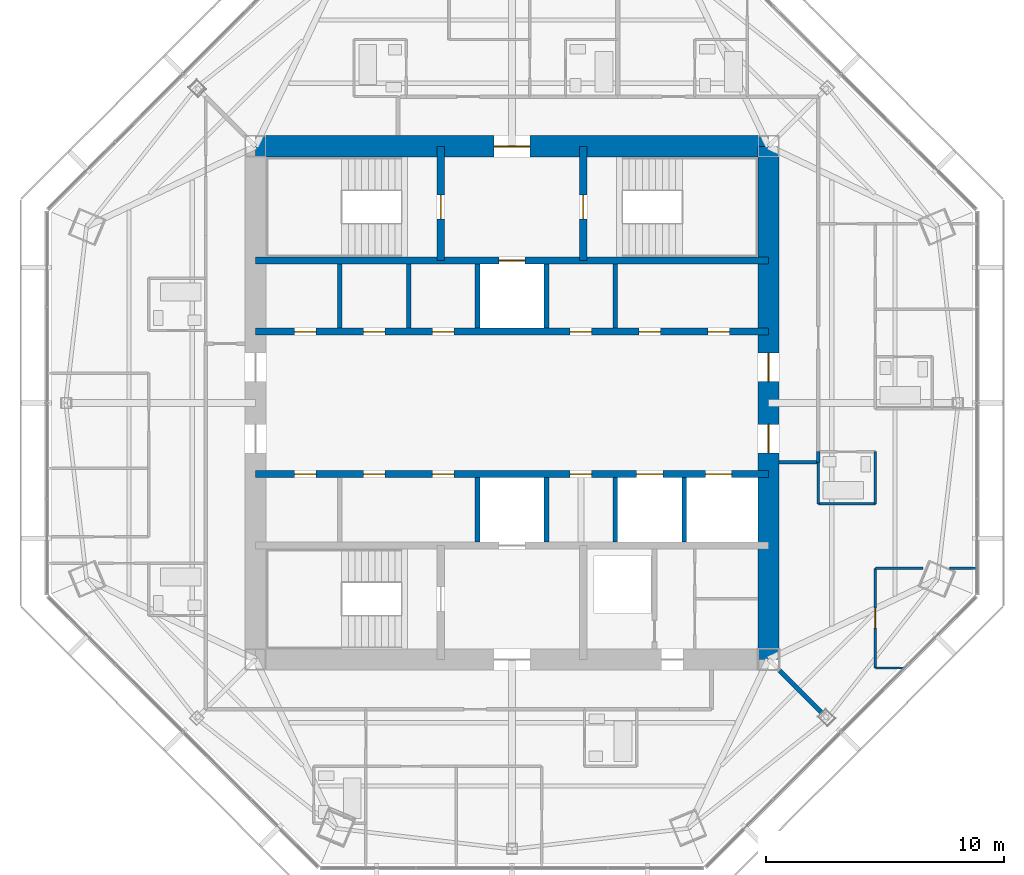
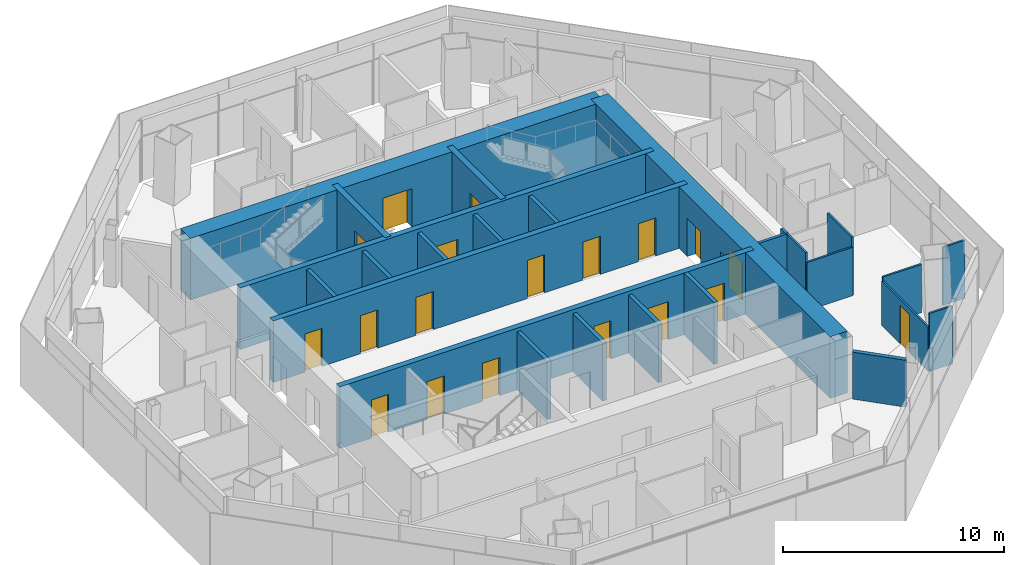
# One storey, part 10 of 15: 26 walls, 19 doors, 19 openings.
"""IFC4 building model written with IfcOpenShell, lengths in metres."""

from ifc_helpers import new_model, si_unit, direction, frame, frame_2d, origin, place, context, subcontext, project, spatial, rectangle, extrude, material, layer, layer_set, type_object, element, fill, save


model = new_model("IFC4")

# Units and contexts
model_context = context("Model", 3, precision=1e-05, world=origin(), true_north=direction((0.0, 1.0)))
body_context = subcontext(model_context, "Body", "Model", "MODEL_VIEW")
ifc_project = project(units=[si_unit("LENGTHUNIT", "METRE"), si_unit("AREAUNIT", "SQUARE_METRE"), si_unit("VOLUMEUNIT", "CUBIC_METRE"), si_unit("PLANEANGLEUNIT", "RADIAN"), si_unit("MASSUNIT", "GRAM", prefix="KILO")], contexts=[model_context])

# Site, building, storey
site_placement = place(None, origin())
site = spatial("IfcSite", under=ifc_project, at=site_placement, CompositionType="ELEMENT")
building_placement = place(site_placement, origin())
building = spatial("IfcBuilding", under=site, at=building_placement, Name="Mashrafa Tower", CompositionType="ELEMENT")
storey_placement = place(building_placement, frame((0.0, 0.0, 298.0)))
storey = spatial("IfcBuildingStorey", under=building, at=storey_placement, Name="L73", CompositionType="ELEMENT", Elevation=298.0)

# Wall
ifc_material_1 = material(Name="Gypsum board on steel studs", Category="steel")
ifc_layer_1 = layer(ifc_material_1, 0.199951171875)
ifc_layer_set_1 = layer_set([ifc_layer_1], Name="Acoustic partition 200 1 hr")
wall_type_1 = type_object("IfcWallType", Name="Acoustic partition 200 1 hr", PredefinedType="PARTITIONING", material=ifc_layer_set_1)
wall_1_placement = place(storey_placement, frame((11.26904296875, -11.26904296875, 0.0), z_axis=(0.0, 0.0, 1.0), x_axis=(0.707106781187, -0.707106781187, 0.0)))
element("IfcWall", 1, at=wall_1_placement, inside=storey, type_object=wall_type_1, Name="Acoustic wall L73-046", PredefinedType="PARTITIONING", context=body_context, shape_type="SweptSolid", body=[
    extrude(rectangle(XDim=2.507568359375, YDim=0.199951171875, at=frame_2d((1.25390625, 0.0))), origin(), (0.0, 0.0, 1.0), 2.590576171875),
])

# Wall, openings, doors
ifc_material_2 = material(Name="Concrete C50/60", Category="concrete")
ifc_layer_2 = layer(ifc_material_2, 0.300048828125)
ifc_layer_set_2 = layer_set([ifc_layer_2], Name="Core wall 300 C50/60")
wall_type_2 = type_object("IfcWallType", Name="Core wall 300 C50/60", PredefinedType="SOLIDWALL", material=ifc_layer_set_2)
wall_2_placement = place(storey_placement, frame((-10.800048828125, 3.0, 0.0), z_axis=(0.0, 0.0, 1.0), x_axis=(1.0, 0.0, 0.0)))
wall_2 = element("IfcWall", 2, at=wall_2_placement, inside=storey, type_object=wall_type_2, Name="Core wall CH-N L73", PredefinedType="SOLIDWALL", context=body_context, shape_type="SweptSolid", body=[
    extrude(rectangle(XDim=21.60009765625, YDim=0.300048828125, at=frame_2d((10.800048828125, 0.0))), origin(), (0.0, 0.0, 1.0), 3.39990234375),
])
opening_1_placement = place(wall_2_placement, frame((1.64990234375, 0.0, 0.0)))
opening_1 = element("IfcOpeningElement", 3, at=opening_1_placement, cuts=wall_2, Name="Opening 73.042", PredefinedType="OPENING", context=body_context, shape_type="SweptSolid", body=[
    extrude(rectangle(XDim=0.89990234375, YDim=2.10009765625, at=frame_2d((0.449951171875, 1.050048828125))), frame((0.0, 0.159912109375, 0.0), z_axis=(0.0, -1.0, 0.0), x_axis=(1.0, 0.0, 0.0)), (0.0, 0.0, 1.0), 0.320068359375),
])
opening_2_placement = place(wall_2_placement, frame((4.550048828125, 0.0, 0.0)))
opening_2 = element("IfcOpeningElement", 4, at=opening_2_placement, cuts=wall_2, Name="Opening 73.043", PredefinedType="OPENING", context=body_context, shape_type="SweptSolid", body=[
    extrude(rectangle(XDim=0.89990234375, YDim=2.10009765625, at=frame_2d((0.449951171875, 1.050048828125))), frame((0.0, 0.159912109375, 0.0), z_axis=(0.0, -1.0, 0.0), x_axis=(1.0, 0.0, 0.0)), (0.0, 0.0, 1.0), 0.320068359375),
])
opening_3_placement = place(wall_2_placement, frame((7.449951171875, 0.0, 0.0)))
opening_3 = element("IfcOpeningElement", 5, at=opening_3_placement, cuts=wall_2, Name="Opening 73.044", PredefinedType="OPENING", context=body_context, shape_type="SweptSolid", body=[
    extrude(rectangle(XDim=0.89990234375, YDim=2.10009765625, at=frame_2d((0.449951171875, 1.050048828125))), frame((0.0, 0.159912109375, 0.0), z_axis=(0.0, -1.0, 0.0), x_axis=(1.0, 0.0, 0.0)), (0.0, 0.0, 1.0), 0.320068359375),
])
opening_4_placement = place(wall_2_placement, frame((13.25, 0.0, 0.0)))
opening_4 = element("IfcOpeningElement", 6, at=opening_4_placement, cuts=wall_2, Name="Opening 73.045", PredefinedType="OPENING", context=body_context, shape_type="SweptSolid", body=[
    extrude(rectangle(XDim=0.89990234375, YDim=2.10009765625, at=frame_2d((0.449951171875, 1.050048828125))), frame((0.0, 0.159912109375, 0.0), z_axis=(0.0, -1.0, 0.0), x_axis=(1.0, 0.0, 0.0)), (0.0, 0.0, 1.0), 0.320068359375),
])
opening_5_placement = place(wall_2_placement, frame((16.14990234375, 0.0, 0.0)))
opening_5 = element("IfcOpeningElement", 7, at=opening_5_placement, cuts=wall_2, Name="Opening 73.046", PredefinedType="OPENING", context=body_context, shape_type="SweptSolid", body=[
    extrude(rectangle(XDim=0.89990234375, YDim=2.10009765625, at=frame_2d((0.449951171875, 1.050048828125))), frame((0.0, 0.159912109375, 0.0), z_axis=(0.0, -1.0, 0.0), x_axis=(1.0, 0.0, 0.0)), (0.0, 0.0, 1.0), 0.320068359375),
])
opening_6_placement = place(wall_2_placement, frame((19.050048828125, 0.0, 0.0)))
opening_6 = element("IfcOpeningElement", 8, at=opening_6_placement, cuts=wall_2, Name="Opening 73.047", PredefinedType="OPENING", context=body_context, shape_type="SweptSolid", body=[
    extrude(rectangle(XDim=0.89990234375, YDim=2.10009765625, at=frame_2d((0.449951171875, 1.050048828125))), frame((0.0, 0.159912109375, 0.0), z_axis=(0.0, -1.0, 0.0), x_axis=(1.0, 0.0, 0.0)), (0.0, 0.0, 1.0), 0.320068359375),
])
ifc_material_3 = material(Name="Timber door", Category="wood")
door_type_1 = type_object("IfcDoorType", Name="Store door 900 x 2100", OperationType="USERDEFINED", PredefinedType="DOOR", material=ifc_material_3)
door_1_placement = place(opening_1_placement, origin())
door_1 = element("IfcDoor", 9, at=door_1_placement, inside=storey, type_object=door_type_1, Name="Refuse Chute Room L73 door", OperationType="SINGLE_SWING_RIGHT", OverallHeight=2.10009765625, OverallWidth=0.89990234375, PredefinedType="DOOR", context=body_context, shape_type="SweptSolid", body=[
    extrude(rectangle(XDim=0.89990234375, YDim=2.10009765625, at=frame_2d((0.449951171875, 1.050048828125))), frame((0.0, 0.02490234375, 0.0), z_axis=(0.0, -1.0, 0.0), x_axis=(1.0, 0.0, 0.0)), (0.0, 0.0, 1.0), 0.050048828125),
])
fill(opening_1, door_1)
door_2_placement = place(opening_2_placement, origin())
door_2 = element("IfcDoor", 10, at=door_2_placement, inside=storey, type_object=door_type_1, Name="Housekeeping Room L73 door", OperationType="SINGLE_SWING_LEFT", OverallHeight=2.10009765625, OverallWidth=0.89990234375, PredefinedType="DOOR", context=body_context, shape_type="SweptSolid", body=[
    extrude(rectangle(XDim=0.89990234375, YDim=2.10009765625, at=frame_2d((0.449951171875, 1.050048828125))), frame((0.0, 0.02490234375, 0.0), z_axis=(0.0, -1.0, 0.0), x_axis=(1.0, 0.0, 0.0)), (0.0, 0.0, 1.0), 0.050048828125),
])
fill(opening_2, door_2)
door_3_placement = place(opening_3_placement, origin())
door_3 = element("IfcDoor", 11, at=door_3_placement, inside=storey, type_object=door_type_1, Name="Vending and Ice Room L73 door", OperationType="SINGLE_SWING_LEFT", OverallHeight=2.10009765625, OverallWidth=0.89990234375, PredefinedType="DOOR", context=body_context, shape_type="SweptSolid", body=[
    extrude(rectangle(XDim=0.89990234375, YDim=2.10009765625, at=frame_2d((0.449951171875, 1.050048828125))), frame((0.0, 0.02490234375, 0.0), z_axis=(0.0, -1.0, 0.0), x_axis=(1.0, 0.0, 0.0)), (0.0, 0.0, 1.0), 0.050048828125),
])
fill(opening_3, door_3)
door_4_placement = place(opening_4_placement, origin())
door_4 = element("IfcDoor", 12, at=door_4_placement, inside=storey, type_object=door_type_1, Name="Cleaner's Store L73 door", OperationType="SINGLE_SWING_LEFT", OverallHeight=2.10009765625, OverallWidth=0.89990234375, PredefinedType="DOOR", context=body_context, shape_type="SweptSolid", body=[
    extrude(rectangle(XDim=0.89990234375, YDim=2.10009765625, at=frame_2d((0.449951171875, 1.050048828125))), frame((0.0, 0.02490234375, 0.0), z_axis=(0.0, -1.0, 0.0), x_axis=(1.0, 0.0, 0.0)), (0.0, 0.0, 1.0), 0.050048828125),
])
fill(opening_4, door_4)
door_5_placement = place(opening_5_placement, origin())
door_5 = element("IfcDoor", 13, at=door_5_placement, inside=storey, type_object=door_type_1, Name="Parcel Room L73 door", OperationType="SINGLE_SWING_LEFT", OverallHeight=2.10009765625, OverallWidth=0.89990234375, PredefinedType="DOOR", context=body_context, shape_type="SweptSolid", body=[
    extrude(rectangle(XDim=0.89990234375, YDim=2.10009765625, at=frame_2d((0.449951171875, 1.050048828125))), frame((0.0, 0.02490234375, 0.0), z_axis=(0.0, -1.0, 0.0), x_axis=(1.0, 0.0, 0.0)), (0.0, 0.0, 1.0), 0.050048828125),
])
fill(opening_5, door_5)
door_6_placement = place(opening_6_placement, origin())
door_6 = element("IfcDoor", 14, at=door_6_placement, inside=storey, type_object=door_type_1, Name="Parcel Room L73 door", OperationType="SINGLE_SWING_RIGHT", OverallHeight=2.10009765625, OverallWidth=0.89990234375, PredefinedType="DOOR", context=body_context, shape_type="SweptSolid", body=[
    extrude(rectangle(XDim=0.89990234375, YDim=2.10009765625, at=frame_2d((0.449951171875, 1.050048828125))), frame((0.0, 0.02490234375, 0.0), z_axis=(0.0, -1.0, 0.0), x_axis=(1.0, 0.0, 0.0)), (0.0, 0.0, 1.0), 0.050048828125),
])
fill(opening_6, door_6)

# Wall, opening, door
wall_3_placement = place(storey_placement, frame((-10.800048828125, 6.0, 0.0), z_axis=(0.0, 0.0, 1.0), x_axis=(1.0, 0.0, 0.0)))
wall_3 = element("IfcWall", 15, at=wall_3_placement, inside=storey, type_object=wall_type_2, Name="Core wall CB-N L73", PredefinedType="SOLIDWALL", context=body_context, shape_type="SweptSolid", body=[
    extrude(rectangle(XDim=21.60009765625, YDim=0.300048828125, at=frame_2d((10.800048828125, 0.0))), origin(), (0.0, 0.0, 1.0), 3.39990234375),
])
opening_7_placement = place(wall_3_placement, frame((10.25, 0.0, 0.0)))
opening_7 = element("IfcOpeningElement", 16, at=opening_7_placement, cuts=wall_3, Name="Opening 73.F1", PredefinedType="OPENING", context=body_context, shape_type="SweptSolid", body=[
    extrude(rectangle(XDim=1.10009765625, YDim=2.10009765625, at=frame_2d((0.550048828125, 1.050048828125))), frame((0.0, 0.159912109375, 0.0), z_axis=(0.0, -1.0, 0.0), x_axis=(1.0, 0.0, 0.0)), (0.0, 0.0, 1.0), 0.320068359375),
])
ifc_material_4 = material(Name="Steel door", Category="steel")
door_type_2 = type_object("IfcDoorType", Name="Lift landing door 1100 x 2100 90 min", OperationType="DOUBLE_DOOR_SLIDING", PredefinedType="DOOR", material=ifc_material_4)
door_7_placement = place(opening_7_placement, origin())
door_7 = element("IfcDoor", 17, at=door_7_placement, inside=storey, type_object=door_type_2, Name="Lift landing door F1 L73", OperationType="DOUBLE_DOOR_SLIDING", OverallHeight=2.10009765625, OverallWidth=1.10009765625, PredefinedType="DOOR", context=body_context, shape_type="SweptSolid", body=[
    extrude(rectangle(XDim=1.10009765625, YDim=2.10009765625, at=frame_2d((0.550048828125, 1.050048828125))), frame((0.0, 0.02490234375, 0.0), z_axis=(0.0, -1.0, 0.0), x_axis=(1.0, 0.0, 0.0)), (0.0, 0.0, 1.0), 0.050048828125),
])
fill(opening_7, door_7)

wall_4_placement = place(storey_placement, frame((-3.0, 6.0, 0.0), z_axis=(0.0, 0.0, 1.0), x_axis=(0.0, 1.0, 0.0)))
wall_4 = element("IfcWall", 18, at=wall_4_placement, inside=storey, type_object=wall_type_2, Name="Core wall CX-NW L73", PredefinedType="SOLIDWALL", context=body_context, shape_type="SweptSolid", body=[
    extrude(rectangle(XDim=4.800048828125, YDim=0.300048828125, at=frame_2d((2.39990234375, 0.0))), origin(), (0.0, 0.0, 1.0), 3.39990234375),
])
opening_8_placement = place(wall_4_placement, frame((1.75, 0.0, 0.0)))
opening_8 = element("IfcOpeningElement", 19, at=opening_8_placement, cuts=wall_4, Name="Opening 73.035", PredefinedType="OPENING", context=body_context, shape_type="SweptSolid", body=[
    extrude(rectangle(XDim=1.0, YDim=2.10009765625, at=frame_2d((0.5, 1.050048828125))), frame((0.0, 0.159912109375, 0.0), z_axis=(0.0, -1.0, 0.0), x_axis=(1.0, 0.0, 0.0)), (0.0, 0.0, 1.0), 0.320068359375),
])
ifc_material_5 = material(Name="Steel door", Category="steel")
door_type_3 = type_object("IfcDoorType", Name="Stair door 1000 x 2100 90 min", OperationType="USERDEFINED", PredefinedType="DOOR", material=ifc_material_5)
door_8_placement = place(opening_8_placement, origin())
door_8 = element("IfcDoor", 20, at=door_8_placement, inside=storey, type_object=door_type_3, Name="Stair S1 door L73", OperationType="SINGLE_SWING_LEFT", OverallHeight=2.10009765625, OverallWidth=1.0, PredefinedType="DOOR", context=body_context, shape_type="SweptSolid", body=[
    extrude(rectangle(XDim=1.0, YDim=2.10009765625, at=frame_2d((0.5, 1.050048828125))), frame((0.0, 0.02490234375, 0.0), z_axis=(0.0, -1.0, 0.0), x_axis=(1.0, 0.0, 0.0)), (0.0, 0.0, 1.0), 0.050048828125),
])
fill(opening_8, door_8)

wall_5_placement = place(storey_placement, frame((3.0, 6.0, 0.0), z_axis=(0.0, 0.0, 1.0), x_axis=(0.0, 1.0, 0.0)))
wall_5 = element("IfcWall", 21, at=wall_5_placement, inside=storey, type_object=wall_type_2, Name="Core wall CX-NE L73", PredefinedType="SOLIDWALL", context=body_context, shape_type="SweptSolid", body=[
    extrude(rectangle(XDim=4.800048828125, YDim=0.300048828125, at=frame_2d((2.39990234375, 0.0))), origin(), (0.0, 0.0, 1.0), 3.39990234375),
])
opening_9_placement = place(wall_5_placement, frame((1.75, 0.0, 0.0)))
opening_9 = element("IfcOpeningElement", 22, at=opening_9_placement, cuts=wall_5, Name="Opening 73.036", PredefinedType="OPENING", context=body_context, shape_type="SweptSolid", body=[
    extrude(rectangle(XDim=1.0, YDim=2.10009765625, at=frame_2d((0.5, 1.050048828125))), frame((0.0, 0.159912109375, 0.0), z_axis=(0.0, -1.0, 0.0), x_axis=(1.0, 0.0, 0.0)), (0.0, 0.0, 1.0), 0.320068359375),
])
door_9_placement = place(opening_9_placement, frame((1.0, 0.0, 0.0), z_axis=(0.0, 0.0, 1.0), x_axis=(-1.0, 0.0, 0.0)))
door_9 = element("IfcDoor", 23, at=door_9_placement, inside=storey, type_object=door_type_3, Name="Stair S2 door L73", OperationType="SINGLE_SWING_RIGHT", OverallHeight=2.10009765625, OverallWidth=1.0, PredefinedType="DOOR", context=body_context, shape_type="SweptSolid", body=[
    extrude(rectangle(XDim=1.0, YDim=2.10009765625, at=frame_2d((0.5, 1.050048828125))), frame((0.0, 0.02490234375, 0.0), z_axis=(0.0, -1.0, 0.0), x_axis=(1.0, 0.0, 0.0)), (0.0, 0.0, 1.0), 0.050048828125),
])
fill(opening_9, door_9)

# Wall, openings, doors
wall_6_placement = place(storey_placement, frame((-10.800048828125, -3.0, 0.0), z_axis=(0.0, 0.0, 1.0), x_axis=(1.0, 0.0, 0.0)))
wall_6 = element("IfcWall", 24, at=wall_6_placement, inside=storey, type_object=wall_type_2, Name="Core wall CH-S L73", PredefinedType="SOLIDWALL", context=body_context, shape_type="SweptSolid", body=[
    extrude(rectangle(XDim=21.60009765625, YDim=0.300048828125, at=frame_2d((10.800048828125, 0.0))), origin(), (0.0, 0.0, 1.0), 3.39990234375),
])
opening_10_placement = place(wall_6_placement, frame((4.550048828125, 0.0, 0.0)))
opening_10 = element("IfcOpeningElement", 25, at=opening_10_placement, cuts=wall_6, Name="Opening 73.048", PredefinedType="OPENING", context=body_context, shape_type="SweptSolid", body=[
    extrude(rectangle(XDim=0.89990234375, YDim=2.10009765625, at=frame_2d((0.449951171875, 1.050048828125))), frame((0.0, 0.159912109375, 0.0), z_axis=(0.0, -1.0, 0.0), x_axis=(1.0, 0.0, 0.0)), (0.0, 0.0, 1.0), 0.320068359375),
])
opening_11_placement = place(wall_6_placement, frame((7.449951171875, 0.0, 0.0)))
opening_11 = element("IfcOpeningElement", 26, at=opening_11_placement, cuts=wall_6, Name="Opening 73.049", PredefinedType="OPENING", context=body_context, shape_type="SweptSolid", body=[
    extrude(rectangle(XDim=0.89990234375, YDim=2.10009765625, at=frame_2d((0.449951171875, 1.050048828125))), frame((0.0, 0.159912109375, 0.0), z_axis=(0.0, -1.0, 0.0), x_axis=(1.0, 0.0, 0.0)), (0.0, 0.0, 1.0), 0.320068359375),
])
opening_12_placement = place(wall_6_placement, frame((1.64990234375, 0.0, 0.0)))
opening_12 = element("IfcOpeningElement", 27, at=opening_12_placement, cuts=wall_6, Name="Opening 73.050", PredefinedType="OPENING", context=body_context, shape_type="SweptSolid", body=[
    extrude(rectangle(XDim=0.89990234375, YDim=2.10009765625, at=frame_2d((0.449951171875, 1.050048828125))), frame((0.0, 0.159912109375, 0.0), z_axis=(0.0, -1.0, 0.0), x_axis=(1.0, 0.0, 0.0)), (0.0, 0.0, 1.0), 0.320068359375),
])
opening_13_placement = place(wall_6_placement, frame((13.25, 0.0, 0.0)))
opening_13 = element("IfcOpeningElement", 28, at=opening_13_placement, cuts=wall_6, Name="Opening 73.051", PredefinedType="OPENING", context=body_context, shape_type="SweptSolid", body=[
    extrude(rectangle(XDim=0.89990234375, YDim=2.10009765625, at=frame_2d((0.449951171875, 1.050048828125))), frame((0.0, 0.159912109375, 0.0), z_axis=(0.0, -1.0, 0.0), x_axis=(1.0, 0.0, 0.0)), (0.0, 0.0, 1.0), 0.320068359375),
])
opening_14_placement = place(wall_6_placement, frame((16.050048828125, 0.0, 0.0)))
opening_14 = element("IfcOpeningElement", 29, at=opening_14_placement, cuts=wall_6, Name="Opening 73.R1", PredefinedType="OPENING", context=body_context, shape_type="SweptSolid", body=[
    extrude(rectangle(XDim=1.10009765625, YDim=2.10009765625, at=frame_2d((0.550048828125, 1.050048828125))), frame((0.0, 0.159912109375, 0.0), z_axis=(0.0, -1.0, 0.0), x_axis=(1.0, 0.0, 0.0)), (0.0, 0.0, 1.0), 0.320068359375),
])
opening_15_placement = place(wall_6_placement, frame((18.949951171875, 0.0, 0.0)))
opening_15 = element("IfcOpeningElement", 30, at=opening_15_placement, cuts=wall_6, Name="Opening 73.R2", PredefinedType="OPENING", context=body_context, shape_type="SweptSolid", body=[
    extrude(rectangle(XDim=1.10009765625, YDim=2.10009765625, at=frame_2d((0.550048828125, 1.050048828125))), frame((0.0, 0.159912109375, 0.0), z_axis=(0.0, -1.0, 0.0), x_axis=(1.0, 0.0, 0.0)), (0.0, 0.0, 1.0), 0.320068359375),
])
door_10_placement = place(opening_14_placement, origin())
door_10 = element("IfcDoor", 31, at=door_10_placement, inside=storey, type_object=door_type_2, Name="Lift landing door R1 L73", OperationType="DOUBLE_DOOR_SLIDING", OverallHeight=2.10009765625, OverallWidth=1.10009765625, PredefinedType="DOOR", context=body_context, shape_type="SweptSolid", body=[
    extrude(rectangle(XDim=1.10009765625, YDim=2.10009765625, at=frame_2d((0.550048828125, 1.050048828125))), frame((0.0, 0.02490234375, 0.0), z_axis=(0.0, -1.0, 0.0), x_axis=(1.0, 0.0, 0.0)), (0.0, 0.0, 1.0), 0.050048828125),
])
fill(opening_14, door_10)
door_11_placement = place(opening_15_placement, origin())
door_11 = element("IfcDoor", 32, at=door_11_placement, inside=storey, type_object=door_type_2, Name="Lift landing door R2 L73", OperationType="DOUBLE_DOOR_SLIDING", OverallHeight=2.10009765625, OverallWidth=1.10009765625, PredefinedType="DOOR", context=body_context, shape_type="SweptSolid", body=[
    extrude(rectangle(XDim=1.10009765625, YDim=2.10009765625, at=frame_2d((0.550048828125, 1.050048828125))), frame((0.0, 0.02490234375, 0.0), z_axis=(0.0, -1.0, 0.0), x_axis=(1.0, 0.0, 0.0)), (0.0, 0.0, 1.0), 0.050048828125),
])
fill(opening_15, door_11)
door_12_placement = place(opening_10_placement, frame((0.89990234375, 0.0, 0.0), z_axis=(0.0, 0.0, 1.0), x_axis=(-1.0, 0.0, 0.0)))
door_12 = element("IfcDoor", 33, at=door_12_placement, inside=storey, type_object=door_type_1, Name="Butler's Pantry L73 door", OperationType="SINGLE_SWING_RIGHT", OverallHeight=2.10009765625, OverallWidth=0.89990234375, PredefinedType="DOOR", context=body_context, shape_type="SweptSolid", body=[
    extrude(rectangle(XDim=0.89990234375, YDim=2.10009765625, at=frame_2d((0.449951171875, 1.050048828125))), frame((0.0, 0.02490234375, 0.0), z_axis=(0.0, -1.0, 0.0), x_axis=(1.0, 0.0, 0.0)), (0.0, 0.0, 1.0), 0.050048828125),
])
fill(opening_10, door_12)
door_13_placement = place(opening_11_placement, frame((0.89990234375, 0.0, 0.0), z_axis=(0.0, 0.0, 1.0), x_axis=(-1.0, 0.0, 0.0)))
door_13 = element("IfcDoor", 34, at=door_13_placement, inside=storey, type_object=door_type_1, Name="Butler's Pantry L73 door", OperationType="SINGLE_SWING_LEFT", OverallHeight=2.10009765625, OverallWidth=0.89990234375, PredefinedType="DOOR", context=body_context, shape_type="SweptSolid", body=[
    extrude(rectangle(XDim=0.89990234375, YDim=2.10009765625, at=frame_2d((0.449951171875, 1.050048828125))), frame((0.0, 0.02490234375, 0.0), z_axis=(0.0, -1.0, 0.0), x_axis=(1.0, 0.0, 0.0)), (0.0, 0.0, 1.0), 0.050048828125),
])
fill(opening_11, door_13)
door_14_placement = place(opening_12_placement, frame((0.89990234375, 0.0, 0.0), z_axis=(0.0, 0.0, 1.0), x_axis=(-1.0, 0.0, 0.0)))
door_14 = element("IfcDoor", 35, at=door_14_placement, inside=storey, type_object=door_type_1, Name="Residents' Store L73-B1 door", OperationType="SINGLE_SWING_LEFT", OverallHeight=2.10009765625, OverallWidth=0.89990234375, PredefinedType="DOOR", context=body_context, shape_type="SweptSolid", body=[
    extrude(rectangle(XDim=0.89990234375, YDim=2.10009765625, at=frame_2d((0.449951171875, 1.050048828125))), frame((0.0, 0.02490234375, 0.0), z_axis=(0.0, -1.0, 0.0), x_axis=(1.0, 0.0, 0.0)), (0.0, 0.0, 1.0), 0.050048828125),
])
fill(opening_12, door_14)
door_15_placement = place(opening_13_placement, frame((0.89990234375, 0.0, 0.0), z_axis=(0.0, 0.0, 1.0), x_axis=(-1.0, 0.0, 0.0)))
door_15 = element("IfcDoor", 36, at=door_15_placement, inside=storey, type_object=door_type_1, Name="Residents' Store L73-B4 door", OperationType="SINGLE_SWING_RIGHT", OverallHeight=2.10009765625, OverallWidth=0.89990234375, PredefinedType="DOOR", context=body_context, shape_type="SweptSolid", body=[
    extrude(rectangle(XDim=0.89990234375, YDim=2.10009765625, at=frame_2d((0.449951171875, 1.050048828125))), frame((0.0, 0.02490234375, 0.0), z_axis=(0.0, -1.0, 0.0), x_axis=(1.0, 0.0, 0.0)), (0.0, 0.0, 1.0), 0.050048828125),
])
fill(opening_13, door_15)

ifc_material_6 = material(Name="Concrete C50/60", Category="concrete")
ifc_layer_3 = layer(ifc_material_6, 0.89990234375)
ifc_layer_set_3 = layer_set([ifc_layer_3], Name="Core wall 900 C50/60")
wall_type_3 = type_object("IfcWallType", Name="Core wall 900 C50/60", PredefinedType="SOLIDWALL", material=ifc_layer_set_3)
wall_7_placement = place(storey_placement, frame((10.800048828125, -10.800048828125, 0.0), z_axis=(0.0, 0.0, 1.0), x_axis=(0.0, 1.0, 0.0)))
wall_7 = element("IfcWall", 37, at=wall_7_placement, inside=storey, type_object=wall_type_3, Name="Core wall CW-E L73", PredefinedType="SOLIDWALL", context=body_context, shape_type="SweptSolid", body=[
    extrude(rectangle(XDim=21.60009765625, YDim=0.89990234375, at=frame_2d((10.800048828125, 0.0))), origin(), (0.0, 0.0, 1.0), 3.39990234375),
])
opening_16_placement = place(wall_7_placement, frame((11.699951171875, 0.0, 0.0)))
opening_16 = element("IfcOpeningElement", 38, at=opening_16_placement, cuts=wall_7, Name="Opening 73.029", PredefinedType="OPENING", context=body_context, shape_type="SweptSolid", body=[
    extrude(rectangle(XDim=1.199951171875, YDim=2.10009765625, at=frame_2d((0.60009765625, 1.050048828125))), frame((0.0, 0.4599609375, 0.0), z_axis=(0.0, -1.0, 0.0), x_axis=(1.0, 0.0, 0.0)), (0.0, 0.0, 1.0), 0.919921875),
])
opening_17_placement = place(wall_7_placement, frame((8.699951171875, 0.0, 0.0)))
opening_17 = element("IfcOpeningElement", 39, at=opening_17_placement, cuts=wall_7, Name="Opening 73.031", PredefinedType="OPENING", context=body_context, shape_type="SweptSolid", body=[
    extrude(rectangle(XDim=1.199951171875, YDim=2.10009765625, at=frame_2d((0.60009765625, 1.050048828125))), frame((0.0, 0.4599609375, 0.0), z_axis=(0.0, -1.0, 0.0), x_axis=(1.0, 0.0, 0.0)), (0.0, 0.0, 1.0), 0.919921875),
])
ifc_material_7 = material(Name="Steel door", Category="steel")
door_type_4 = type_object("IfcDoorType", Name="Lift hall door 1200 x 2100 90 min", OperationType="USERDEFINED", PredefinedType="DOOR", material=ifc_material_7)
door_16_placement = place(opening_16_placement, frame((1.199951171875, 0.0, 0.0), z_axis=(0.0, 0.0, 1.0), x_axis=(-1.0, 0.0, 0.0)))
door_16 = element("IfcDoor", 40, at=door_16_placement, inside=storey, type_object=door_type_4, Name="Lift hall door east L73", OperationType="SINGLE_SWING_RIGHT", OverallHeight=2.10009765625, OverallWidth=1.199951171875, PredefinedType="DOOR", context=body_context, shape_type="SweptSolid", body=[
    extrude(rectangle(XDim=1.199951171875, YDim=2.10009765625, at=frame_2d((0.60009765625, 1.050048828125))), frame((0.0, 0.02490234375, 0.0), z_axis=(0.0, -1.0, 0.0), x_axis=(1.0, 0.0, 0.0)), (0.0, 0.0, 1.0), 0.050048828125),
])
fill(opening_16, door_16)
door_17_placement = place(opening_17_placement, frame((1.199951171875, 0.0, 0.0), z_axis=(0.0, 0.0, 1.0), x_axis=(-1.0, 0.0, 0.0)))
door_17 = element("IfcDoor", 41, at=door_17_placement, inside=storey, type_object=door_type_4, Name="Lift hall door east L73", OperationType="SINGLE_SWING_RIGHT", OverallHeight=2.10009765625, OverallWidth=1.199951171875, PredefinedType="DOOR", context=body_context, shape_type="SweptSolid", body=[
    extrude(rectangle(XDim=1.199951171875, YDim=2.10009765625, at=frame_2d((0.60009765625, 1.050048828125))), frame((0.0, 0.02490234375, 0.0), z_axis=(0.0, -1.0, 0.0), x_axis=(1.0, 0.0, 0.0)), (0.0, 0.0, 1.0), 0.050048828125),
])
fill(opening_17, door_17)

# Wall, opening, door
wall_8_placement = place(storey_placement, frame((10.800048828125, 10.800048828125, 0.0), z_axis=(0.0, 0.0, 1.0), x_axis=(-1.0, 0.0, 0.0)))
wall_8 = element("IfcWall", 42, at=wall_8_placement, inside=storey, type_object=wall_type_3, Name="Core wall CW-N L73", PredefinedType="SOLIDWALL", context=body_context, shape_type="SweptSolid", body=[
    extrude(rectangle(XDim=21.60009765625, YDim=0.89990234375, at=frame_2d((10.800048828125, 0.0))), origin(), (0.0, 0.0, 1.0), 3.39990234375),
])
opening_18_placement = place(wall_8_placement, frame((10.050048828125, 0.0, 0.0)))
opening_18 = element("IfcOpeningElement", 43, at=opening_18_placement, cuts=wall_8, Name="Opening 73.033", PredefinedType="OPENING", context=body_context, shape_type="SweptSolid", body=[
    extrude(rectangle(XDim=1.5, YDim=2.10009765625, at=frame_2d((0.75, 1.050048828125))), frame((0.0, 0.4599609375, 0.0), z_axis=(0.0, -1.0, 0.0), x_axis=(1.0, 0.0, 0.0)), (0.0, 0.0, 1.0), 0.919921875),
])
ifc_material_8 = material(Name="Steel door", Category="steel")
door_type_5 = type_object("IfcDoorType", Name="Lobby door pair 1500 x 2100 90 min", OperationType="DOUBLE_DOOR_SINGLE_SWING", PredefinedType="DOOR", material=ifc_material_8)
door_18_placement = place(opening_18_placement, origin())
door_18 = element("IfcDoor", 44, at=door_18_placement, inside=storey, type_object=door_type_5, Name="Fire-fighting lobby F1 door L73", OperationType="DOUBLE_DOOR_SINGLE_SWING", OverallHeight=2.10009765625, OverallWidth=1.5, PredefinedType="DOOR", context=body_context, shape_type="SweptSolid", body=[
    extrude(rectangle(XDim=1.5, YDim=2.10009765625, at=frame_2d((0.75, 1.050048828125))), frame((0.0, 0.02490234375, 0.0), z_axis=(0.0, -1.0, 0.0), x_axis=(1.0, 0.0, 0.0)), (0.0, 0.0, 1.0), 0.050048828125),
])
fill(opening_18, door_18)

# Walls
ifc_material_9 = material(Name="Gypsum board on steel studs", Category="steel")
ifc_layer_4 = layer(ifc_material_9, 0.14990234375)
ifc_layer_set_4 = layer_set([ifc_layer_4], Name="Corridor partition 150 1 hr")
wall_type_4 = type_object("IfcWallType", Name="Corridor partition 150 1 hr", PredefinedType="PARTITIONING", material=ifc_layer_set_4)
wall_9_placement = place(storey_placement, frame((12.89990234375, -2.5, 0.0), z_axis=(0.0, 0.0, 1.0), x_axis=(0.0, 1.0, 0.0)))
element("IfcWall", 45, at=wall_9_placement, inside=storey, type_object=wall_type_4, Name="Corridor wall L73-001", PredefinedType="PARTITIONING", context=body_context, shape_type="SweptSolid", body=[
    extrude(rectangle(XDim=0.450927734375, YDim=0.14990234375, at=frame_2d((0.2255859375, 0.0))), origin(), (0.0, 0.0, 1.0), 3.199951171875),
])
wall_10_placement = place(storey_placement, frame((11.25, -2.5, 0.0), z_axis=(0.0, 0.0, 1.0), x_axis=(1.0, 0.0, 0.0)))
element("IfcWall", 46, at=wall_10_placement, inside=storey, type_object=wall_type_4, Name="Corridor wall L73-003", PredefinedType="PARTITIONING", context=body_context, shape_type="SweptSolid", body=[
    extrude(rectangle(XDim=1.64990234375, YDim=0.14990234375, at=frame_2d((0.824951171875, 0.0))), origin(), (0.0, 0.0, 1.0), 3.199951171875),
])
ifc_material_10 = material(Name="Gypsum board on steel studs", Category="steel")
ifc_layer_5 = layer(ifc_material_10, 0.10009765625)
ifc_layer_set_5 = layer_set([ifc_layer_5], Name="Partition 100")
wall_type_5 = type_object("IfcWallType", Name="Partition 100", PredefinedType="PARTITIONING", material=ifc_layer_set_5)
wall_11_placement = place(storey_placement, frame((15.300048828125, -4.25, 0.0), z_axis=(0.0, 0.0, 1.0), x_axis=(-1.0, 0.0, 0.0)))
element("IfcWall", 47, at=wall_11_placement, inside=storey, type_object=wall_type_5, Name="Partition wall L73-027", PredefinedType="PARTITIONING", context=body_context, shape_type="SweptSolid", body=[
    extrude(rectangle(XDim=2.400146484375, YDim=0.10009765625, at=frame_2d((1.2001953125, 0.0))), origin(), (0.0, 0.0, 1.0), 2.66162109375),
])
wall_12_placement = place(storey_placement, frame((12.89990234375, -2.4990234375, 0.0), z_axis=(0.0, 0.0, 1.0), x_axis=(0.0, -1.0, 0.0)))
element("IfcWall", 48, at=wall_12_placement, inside=storey, type_object=wall_type_5, Name="Partition wall L73-028", PredefinedType="PARTITIONING", context=body_context, shape_type="SweptSolid", body=[
    extrude(rectangle(XDim=1.7509765625, YDim=0.10009765625, at=frame_2d((0.87548828125, 0.0))), origin(), (0.0, 0.0, 1.0), 3.199951171875),
])
wall_13_placement = place(storey_placement, frame((15.300048828125, -4.25, 0.0), z_axis=(0.0, 0.0, 1.0), x_axis=(0.0, 1.0, 0.0)))
element("IfcWall", 49, at=wall_13_placement, inside=storey, type_object=wall_type_5, Name="Partition wall L73-029", PredefinedType="PARTITIONING", context=body_context, shape_type="SweptSolid", body=[
    extrude(rectangle(XDim=2.199951171875, YDim=0.10009765625, at=frame_2d((1.10009765625, 0.0))), origin(), (0.0, 0.0, 1.0), 3.199951171875),
])
wall_14_placement = place(storey_placement, frame((16.5126953125, -11.16064453125, 0.0), z_axis=(0.0, 0.0, 1.0), x_axis=(-1.0, 0.0, 0.0)))
element("IfcWall", 50, at=wall_14_placement, inside=storey, type_object=wall_type_5, Name="Partition wall L73-042", PredefinedType="PARTITIONING", context=body_context, shape_type="SweptSolid", body=[
    extrude(rectangle(XDim=1.212646484375, YDim=0.10009765625, at=frame_2d((0.6064453125, 0.0))), origin(), (0.0, 0.0, 1.0), 3.199951171875),
])

# Wall, opening, door
wall_15_placement = place(storey_placement, frame((15.300048828125, -11.16064453125, 0.0), z_axis=(0.0, 0.0, 1.0), x_axis=(0.0, 1.0, 0.0)))
wall_15 = element("IfcWall", 51, at=wall_15_placement, inside=storey, type_object=wall_type_5, Name="Partition wall L73-043", PredefinedType="PARTITIONING", context=body_context, shape_type="SweptSolid", body=[
    extrude(rectangle(XDim=4.199951171875, YDim=0.10009765625, at=frame_2d((2.10009765625, 0.0))), origin(), (0.0, 0.0, 1.0), 2.435546875),
])
opening_19_placement = place(wall_15_placement, frame((1.675048828125, 0.0, 0.0)))
opening_19 = element("IfcOpeningElement", 52, at=opening_19_placement, cuts=wall_15, Name="Opening 73.008", PredefinedType="OPENING", context=body_context, shape_type="SweptSolid", body=[
    extrude(rectangle(XDim=0.85009765625, YDim=2.10009765625, at=frame_2d((0.425048828125, 1.050048828125))), frame((0.0, 0.06005859375, 0.0), z_axis=(0.0, -1.0, 0.0), x_axis=(1.0, 0.0, 0.0)), (0.0, 0.0, 1.0), 0.1201171875),
])
ifc_material_11 = material(Name="Timber door", Category="wood")
door_type_6 = type_object("IfcDoorType", Name="Bedroom door 850 x 2100", OperationType="USERDEFINED", PredefinedType="DOOR", material=ifc_material_11)
door_19_placement = place(opening_19_placement, frame((0.85009765625, 0.0, 0.0), z_axis=(0.0, 0.0, 1.0), x_axis=(-1.0, 0.0, 0.0)))
door_19 = element("IfcDoor", 53, at=door_19_placement, inside=storey, type_object=door_type_6, Name="Apartment 7301 Dining Room door", OperationType="SINGLE_SWING_RIGHT", OverallHeight=2.10009765625, OverallWidth=0.85009765625, PredefinedType="DOOR", context=body_context, shape_type="SweptSolid", body=[
    extrude(rectangle(XDim=0.85009765625, YDim=2.10009765625, at=frame_2d((0.425048828125, 1.050048828125))), frame((0.0, 0.02490234375, 0.0), z_axis=(0.0, -1.0, 0.0), x_axis=(1.0, 0.0, 0.0)), (0.0, 0.0, 1.0), 0.050048828125),
])
fill(opening_19, door_19)

# Walls
wall_16_placement = place(storey_placement, frame((15.300048828125, -6.960693359375, 0.0), z_axis=(0.0, 0.0, 1.0), x_axis=(1.0, 0.0, 0.0)))
element("IfcWall", 54, at=wall_16_placement, inside=storey, type_object=wall_type_5, Name="Partition wall L73-044", PredefinedType="PARTITIONING", context=body_context, shape_type="SweptSolid", body=[
    extrude(rectangle(XDim=2.012451171875, YDim=0.10009765625, at=frame_2d((1.00634765625, 0.0))), origin(), (0.0, 0.0, 1.0), 2.66162109375),
])
wall_17_placement = place(storey_placement, frame((18.421875, -6.960693359375, 0.0), z_axis=(0.0, 0.0, 1.0), x_axis=(1.0, 0.0, 0.0)))
element("IfcWall", 55, at=wall_17_placement, inside=storey, type_object=wall_type_5, Name="Partition wall L73-045", PredefinedType="PARTITIONING", context=body_context, shape_type="SweptSolid", body=[
    extrude(rectangle(XDim=1.144775390625, YDim=0.10009765625, at=frame_2d((0.572265625, 0.0))), origin(), (0.0, 0.0, 1.0), 3.199951171875),
])
ifc_material_12 = material(Name="Gypsum shaft wall on steel studs", Category="steel")
ifc_layer_6 = layer(ifc_material_12, 0.199951171875)
ifc_layer_set_6 = layer_set([ifc_layer_6], Name="Shaft divider wall 200 2 hr")
wall_type_6 = type_object("IfcWallType", Name="Shaft divider wall 200 2 hr", PredefinedType="PARTITIONING", material=ifc_layer_set_6)
for number, where, z_axis, x_axis, name in (
    (56, (-7.25, 3.14990234375, 0.0), (0.0, 0.0, 1.0), (0.0, 1.0, 0.0), "Shaft divider wall N1 L73"),
    (57, (-4.35009765625, 3.14990234375, 0.0), (0.0, 0.0, 1.0), (0.0, 1.0, 0.0), "Shaft divider wall N2 L73"),
    (58, (-1.449951171875, 3.14990234375, 0.0), (0.0, 0.0, 1.0), (0.0, 1.0, 0.0), "Shaft divider wall N3 L73"),
    (59, (1.449951171875, 3.14990234375, 0.0), (0.0, 0.0, 1.0), (0.0, 1.0, 0.0), "Shaft divider wall N4 L73"),
    (60, (4.35009765625, 3.14990234375, 0.0), (0.0, 0.0, 1.0), (0.0, 1.0, 0.0), "Shaft divider wall N5 L73"),
    (61, (-1.449951171875, -5.85009765625, 0.0), (0.0, 0.0, 1.0), (0.0, 1.0, 0.0), "Shaft divider wall S3 L73"),
    (62, (1.449951171875, -5.85009765625, 0.0), (0.0, 0.0, 1.0), (0.0, 1.0, 0.0), "Shaft divider wall S4 L73"),
    (63, (4.35009765625, -5.85009765625, 0.0), (0.0, 0.0, 1.0), (0.0, 1.0, 0.0), "Shaft divider wall S5 L73"),
):
    element("IfcWall", number, at=place(storey_placement, frame(where, z_axis=z_axis, x_axis=x_axis)), inside=storey, type_object=wall_type_6, Name=name, PredefinedType="PARTITIONING", context=body_context, shape_type="SweptSolid", body=[
        extrude(rectangle(XDim=2.7001953125, YDim=0.199951171875, at=frame_2d((1.35009765625, 0.0))), origin(), (0.0, 0.0, 1.0), 3.199951171875),
    ])
wall_18_placement = place(storey_placement, frame((7.25, -5.85009765625, 0.0), z_axis=(0.0, 0.0, 1.0), x_axis=(0.0, 1.0, 0.0)))
element("IfcWall", 64, at=wall_18_placement, inside=storey, type_object=wall_type_6, Name="Shaft divider wall S6 L73", PredefinedType="PARTITIONING", context=body_context, shape_type="SweptSolid", body=[
    extrude(rectangle(XDim=2.7001953125, YDim=0.199951171875, at=frame_2d((1.35009765625, 0.0))), origin(), (0.0, 0.0, 1.0), 3.39990234375),
])

save(model, "model.ifc")
